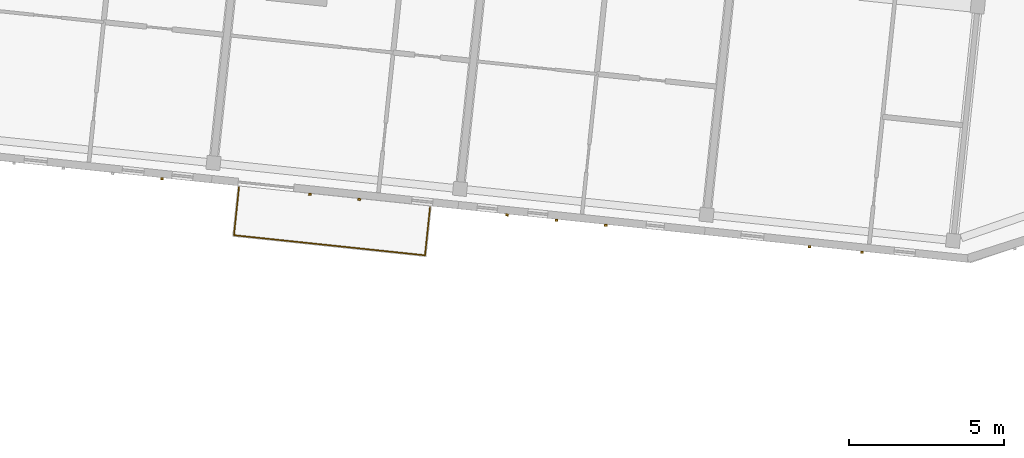
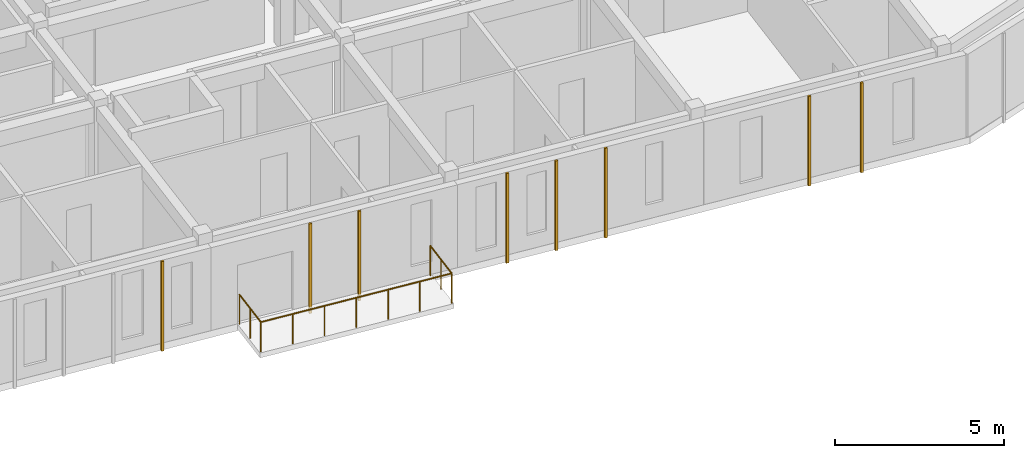
# One storey, part 61 of 64: 8 coverings, 1 railing.
"""IFC4 building model written with IfcOpenShell, lengths in metres."""

from ifc_helpers import new_model, si_unit, direction, frame, origin, origin_2d, place, context, subcontext, project, spatial, rectangle, circle, extrude, material, layer, layer_set, type_object, element, save


model = new_model("IFC4")

# Units and contexts
model_context = context("Model", 3, precision=1e-05, world=origin(), true_north=direction((0.0, 1.0)))
body_context = subcontext(model_context, "Body", "Model", "MODEL_VIEW")
ifc_project = project(units=[si_unit("LENGTHUNIT", "METRE"), si_unit("AREAUNIT", "SQUARE_METRE"), si_unit("VOLUMEUNIT", "CUBIC_METRE"), si_unit("PLANEANGLEUNIT", "RADIAN"), si_unit("MASSUNIT", "GRAM", prefix="KILO")], contexts=[model_context])

# Site, building, storey
site_placement = place(None, origin())
site = spatial("IfcSite", under=ifc_project, at=site_placement, CompositionType="ELEMENT")
building_placement = place(site_placement, origin())
building = spatial("IfcBuilding", under=site, at=building_placement, Name="Kestramere Prow Commons", CompositionType="ELEMENT")
storey_placement = place(building_placement, frame((0.0, 0.0, 24.64990234375)))
storey = spatial("IfcBuildingStorey", under=building, at=storey_placement, Name="L07", CompositionType="ELEMENT", Elevation=24.64990234375)

# Coverings
ifc_material_1 = material(Name="Weathered Zinc-Titanium Standing-Seam Cladding")
ifc_layer = layer(ifc_material_1, 0.074951171875)
ifc_layer_set = layer_set([ifc_layer], Name="Weathered Zinc-Titanium Standing-Seam Cladding")
covering_type = type_object("IfcCoveringType", Name="COV-CLAD-SEAM", PredefinedType="CLADDING", material=ifc_layer_set)
for number, where, z_axis, x_axis, name in (
    (1, (132.20654296875, 91.78466796875, -0.25), (0.0, 0.0, 1.0), (-0.994521895368, 0.104528463268, 0.0), "EW-B-L07-S-2 Standing-Seam Rib 1"),
    (2, (138.5712890625, 91.11572265625, -0.25), (0.0, 0.0, 1.0), (-0.994521895368, 0.104528463268, 0.0), "EW-B-L07-S-3 Standing-Seam Rib 2"),
    (3, (136.980224609375, 91.282958984375, -0.25), (0.0, 0.0, 1.0), (-0.994521895368, 0.104528463268, 0.0), "EW-B-L07-S-3 Standing-Seam Rib 3"),
    (4, (146.527587890625, 90.279541015625, -0.25), (0.0, 0.0, 1.0), (-0.994521895368, 0.104528463268, 0.0), "EW-B-L07-S-4 Standing-Seam Rib 2"),
    (5, (144.936279296875, 90.44677734375, -0.25), (0.0, 0.0, 1.0), (-0.994521895368, 0.104528463268, 0.0), "EW-B-L07-S-4 Standing-Seam Rib 3"),
    (6, (143.34521484375, 90.614013671875, -0.25), (0.0, 0.0, 1.0), (-0.994521895368, 0.104528463268, 0.0), "EW-B-L07-S-4 Standing-Seam Rib 4"),
    (7, (154.797119140625, 89.410400390625, -0.25), (0.0, 0.0, 1.0), (-0.994521895368, 0.104528463268, 0.0), "EW-B-L07-S-5 Standing-Seam Rib 2"),
    (8, (153.101318359375, 89.588623046875, -0.25), (0.0, 0.0, 1.0), (-0.994521895368, 0.104528463268, 0.0), "EW-B-L07-S-5 Standing-Seam Rib 3"),
):
    element("IfcCovering", number, at=place(storey_placement, frame(where, z_axis=z_axis, x_axis=x_axis)), inside=storey, type_object=covering_type, Name=name, PredefinedType="CLADDING", context=body_context, shape_type="SweptSolid", body=[
        extrude(rectangle(XDim=0.0849609375, YDim=0.06494140625, at=origin_2d()), origin(), (0.0, 0.0, 1.0), 3.25),
    ])

# Railing
ifc_material_2 = material(Name="Powder-Coated Aluminium 6063-T6", Category="aluminium")
railing_type = type_object("IfcRailingType", Name="GRD-BALC-1100", PredefinedType="BALUSTRADE", material=ifc_material_2)
railing_placement = place(storey_placement, frame((134.69140625, 91.510986328125, 0.0)))
element("IfcRailing", 9, at=railing_placement, inside=storey, type_object=railing_type, Name="Block B L07 Balcony Guardrail 4", PredefinedType="BALUSTRADE", context=body_context, shape_type="SweptSolid", body=[
    extrude(circle(Radius=0.02392578125, at=origin_2d()), frame((0.0, 0.0, 1.076171875), z_axis=(-0.104538150424, -0.994520877159, 0.0), x_axis=(0.994520877159, -0.104538150424, 0.0)), (0.0, 0.0, 1.0), 1.56005859375),
    extrude(circle(Radius=0.02392578125, at=origin_2d()), frame((-0.1630859375, -1.551513671875, 1.076171875), z_axis=(0.99452399338, -0.104508500096, 0.0), x_axis=(0.104508500096, 0.99452399338, 0.0)), (0.0, 0.0, 1.0), 6.199951171875),
    extrude(circle(Radius=0.02392578125, at=origin_2d()), frame((6.0029296875, -2.199462890625, 1.076171875), z_axis=(0.104538150424, 0.994520877159, 0.0), x_axis=(-0.994520877159, 0.104538150424, 0.0)), (0.0, 0.0, 1.0), 1.56005859375),
    extrude(circle(Radius=0.02099609375, at=origin_2d()), origin(), (0.0, 0.0, 1.0), 1.052001953125),
    extrude(circle(Radius=0.02099609375, at=origin_2d()), frame((-0.08154296875, -0.77587890625, 0.0)), (0.0, 0.0, 1.0), 1.052001953125),
    extrude(circle(Radius=0.02099609375, at=origin_2d()), frame((-0.1630859375, -1.551513671875, 0.0)), (0.0, 0.0, 1.0), 1.052001953125),
    extrude(circle(Radius=0.02099609375, at=origin_2d()), frame((0.864501953125, -1.659423828125, 0.0)), (0.0, 0.0, 1.0), 1.052001953125),
    extrude(circle(Radius=0.02099609375, at=origin_2d()), frame((1.892333984375, -1.767578125, 0.0)), (0.0, 0.0, 1.0), 1.052001953125),
    extrude(circle(Radius=0.02099609375, at=origin_2d()), frame((2.919921875, -1.87548828125, 0.0)), (0.0, 0.0, 1.0), 1.052001953125),
    extrude(circle(Radius=0.02099609375, at=origin_2d()), frame((3.947509765625, -1.9833984375, 0.0)), (0.0, 0.0, 1.0), 1.052001953125),
    extrude(circle(Radius=0.02099609375, at=origin_2d()), frame((4.975341796875, -2.091552734375, 0.0)), (0.0, 0.0, 1.0), 1.052001953125),
    extrude(circle(Radius=0.02099609375, at=origin_2d()), frame((6.0029296875, -2.199462890625, 0.0)), (0.0, 0.0, 1.0), 1.052001953125),
    extrude(circle(Radius=0.02099609375, at=origin_2d()), frame((6.08447265625, -1.423828125, 0.0)), (0.0, 0.0, 1.0), 1.052001953125),
    extrude(circle(Radius=0.02099609375, at=origin_2d()), frame((6.166015625, -0.64794921875, 0.0)), (0.0, 0.0, 1.0), 1.052001953125),
])

save(model, "model.ifc")
